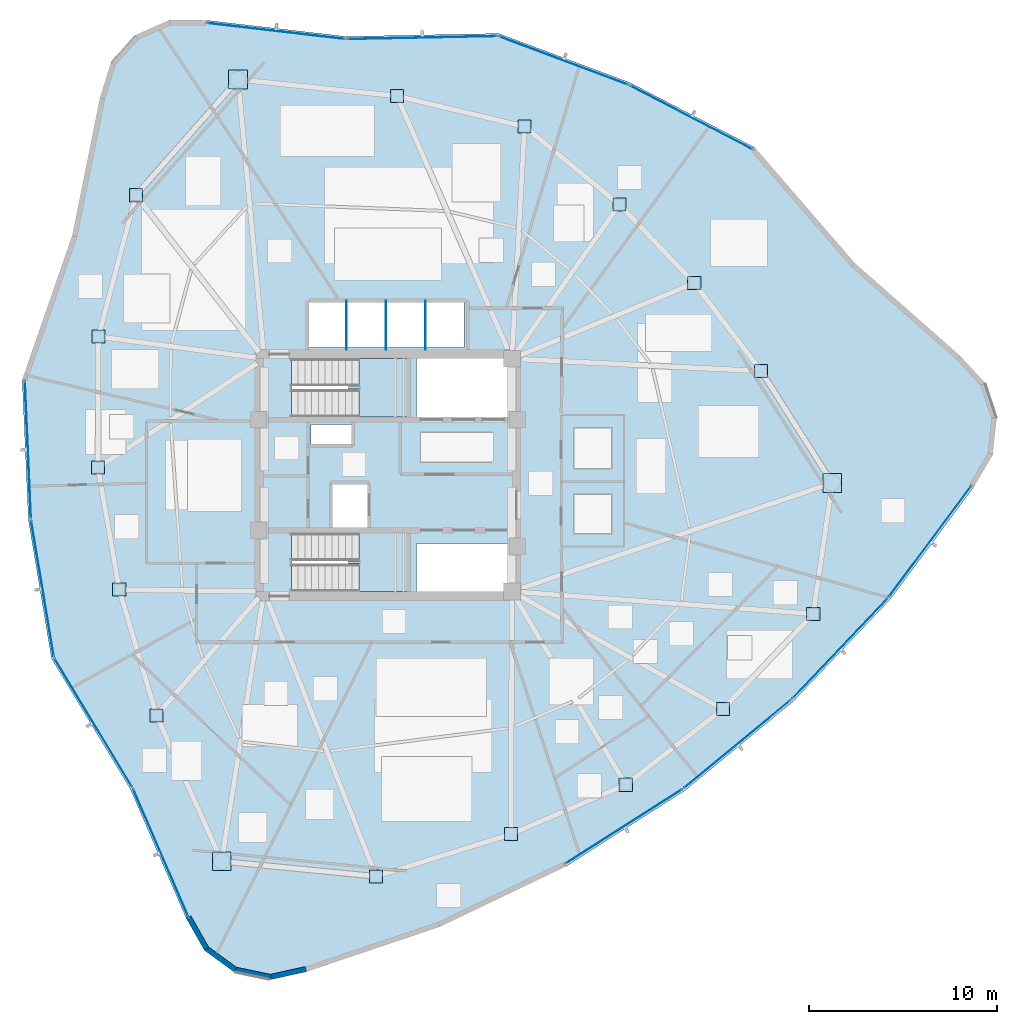
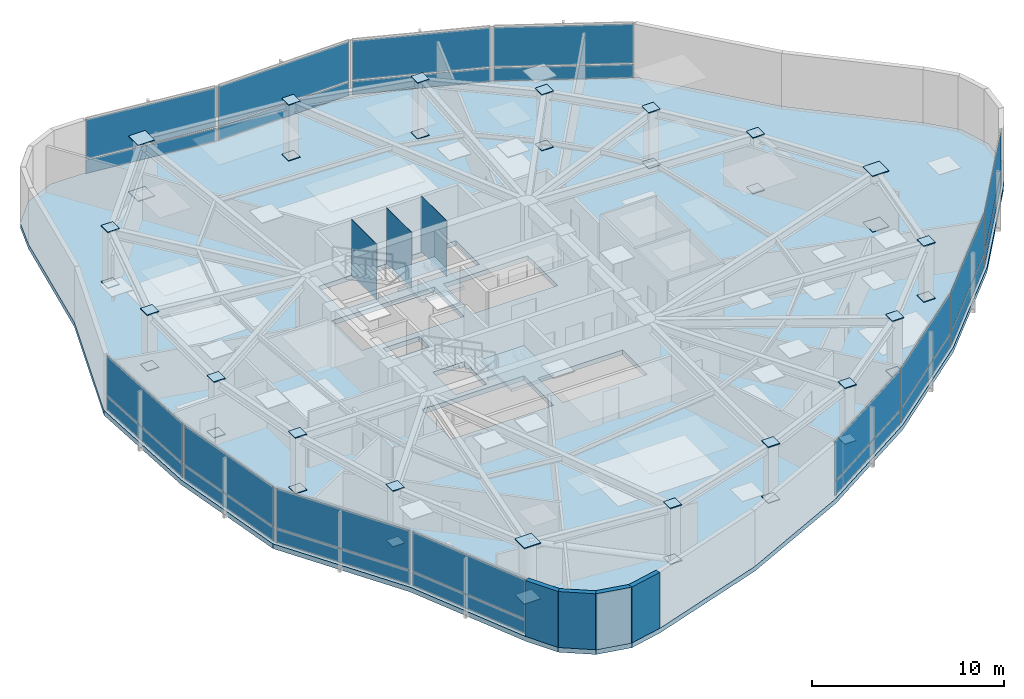
# One storey, part 10 of 17: 63 plates, 4 walls, 3 slabs, 14 elements without a shape of their own.
"""IFC4 building model written with IfcOpenShell, lengths in metres."""

from ifc_helpers import new_model, si_unit, direction, frame, frame_2d, origin, origin_2d, place, context, subcontext, project, spatial, polyline, rectangle, outline, extrude, source, transform, mapped, material, layer, layer_set, type_object, type_shapes, element, aggregate, save


model = new_model("IFC4")

# Units and contexts
model_context = context("Model", 3, precision=1e-05, world=origin(), true_north=direction((0.0, 1.0)))
body_context = subcontext(model_context, "Body", "Model", "MODEL_VIEW")
ifc_project = project(units=[si_unit("LENGTHUNIT", "METRE"), si_unit("AREAUNIT", "SQUARE_METRE"), si_unit("VOLUMEUNIT", "CUBIC_METRE"), si_unit("PLANEANGLEUNIT", "RADIAN"), si_unit("MASSUNIT", "GRAM", prefix="KILO")], contexts=[model_context])

# Site, building, storey
site_placement = place(None, origin())
site = spatial("IfcSite", under=ifc_project, at=site_placement, CompositionType="ELEMENT")
building_placement = place(site_placement, origin())
building = spatial("IfcBuilding", under=site, at=building_placement, Name="Tavelor Broadcast Tower", CompositionType="ELEMENT")
storey_placement = place(building_placement, frame((0.0, 0.0, 184.89990234375)))
storey = spatial("IfcBuildingStorey", under=building, at=storey_placement, Name="L44", CompositionType="ELEMENT", Elevation=184.89990234375)

# Stair, slab
ifc_material_1 = material(Name="Concrete C40/50", Category="concrete")
stair_type = type_object("IfcStairType", Name="Reinforced Concrete Protected Dogleg Stair 1450 mm", PredefinedType="HALF_TURN_STAIR", material=ifc_material_1)
stair_1_placement = place(storey_placement, origin())
stair_1 = element("IfcStair", 1, at=stair_1_placement, inside=storey, type_object=stair_type, Name="L44 Protected Core Exit Stair ST1", PredefinedType="HALF_TURN_STAIR")
ifc_layer_1 = layer(ifc_material_1, 0.199951171875)
ifc_layer_set_1 = layer_set([ifc_layer_1], Name="Concrete C40/50")
slab_type_1 = type_object("IfcSlabType", Name="Reinforced Concrete Stair Half-Landing Slab 200 mm", PredefinedType="LANDING", material=ifc_layer_set_1)
slab_1_placement = place(storey_placement, frame((0.0, 0.0, 1.72509765625)))
slab_1 = element("IfcSlab", 2, at=slab_1_placement, type_object=slab_type_1, Name="ST1 landing 1", PredefinedType="LANDING", context=body_context, shape_type="SweptSolid", body=[
    extrude(outline(polyline([(48.445068359375, 49.590087890625), (48.445068359375, 48.094970703125), (51.0048828125, 48.094970703125), (51.0048828125, 51.205078125), (48.445068359375, 51.205078125), (48.445068359375, 49.7099609375), (47.905029296875, 49.7099609375), (47.905029296875, 49.590087890625), (48.445068359375, 49.590087890625)])), origin(), (0.0, 0.0, 1.0), 0.199951171875),
])
aggregate(stair_1, [slab_1])

stair_2_placement = place(storey_placement, origin())
stair_2 = element("IfcStair", 3, at=stair_2_placement, inside=storey, type_object=stair_type, Name="L44 Protected Core Exit Stair ST2", PredefinedType="HALF_TURN_STAIR")
slab_2_placement = place(storey_placement, frame((0.0, 0.0, 1.72509765625)))
slab_2 = element("IfcSlab", 4, at=slab_2_placement, type_object=slab_type_1, Name="ST2 landing 1", PredefinedType="LANDING", context=body_context, shape_type="SweptSolid", body=[
    extrude(outline(polyline([(48.445068359375, 40.2900390625), (48.445068359375, 38.794921875), (51.0048828125, 38.794921875), (51.0048828125, 41.905029296875), (48.445068359375, 41.905029296875), (48.445068359375, 40.409912109375), (47.905029296875, 40.409912109375), (47.905029296875, 40.2900390625), (48.445068359375, 40.2900390625)])), origin(), (0.0, 0.0, 1.0), 0.199951171875),
])
aggregate(stair_2, [slab_2])

# Slab
ifc_layer_2 = layer(ifc_material_1, 0.300048828125)
ifc_layer_set_2 = layer_set([ifc_layer_2], Name="Concrete C40/50")
slab_type_2 = type_object("IfcSlabType", Name="Tower Composite Floor Slab 300 mm", PredefinedType="FLOOR", material=ifc_layer_set_2)
slab_3_placement = place(storey_placement, frame((0.0, 0.0, -0.2998046875)))
element("IfcSlab", 5, at=slab_3_placement, inside=storey, type_object=slab_type_2, Name="L44 Structural Floor Slab", PredefinedType="FLOOR", context=body_context, shape_type="SweptSolid", body=[
    extrude(outline(polyline([(40.32568359375, 69.234130859375), (38.358642578125, 69.24951171875), (36.5595703125, 68.4541015625), (35.2470703125, 66.98876953125), (34.654052734375, 65.11328125), (33.177001953125, 57.772705078125), (30.5107421875, 50.088134765625), (30.840576171875, 42.60791015625), (32.0732421875, 35.222412109375), (36.27880859375, 28.260009765625), (39.249755859375, 21.38720703125), (40.219970703125, 19.67578125), (41.808349609375, 18.515380859375), (43.733642578125, 18.111572265625), (45.654541015625, 18.53564453125), (52.75, 20.9267578125), (59.50390625, 24.158935546875), (65.81689453125, 28.184814453125), (71.5966796875, 32.94482421875), (76.7578125, 38.369384765625), (81.224365234375, 44.378662109375), (82.22119140625, 46.074462890625), (82.43212890625, 48.030517578125), (81.8193359375, 49.899658203125), (80.49169921875, 51.35107421875), (74.873046875, 56.30029296875), (69.551025390625, 62.451904296875), (62.908203125, 65.90625), (55.89599609375, 68.531494140625), (47.763427734375, 68.370361328125), (40.32568359375, 69.234130859375)]), holes=[polyline([(56.60009765625, 41.35009765625), (56.60009765625, 38.800048828125), (51.52001953125, 38.800048828125), (51.52001953125, 41.35009765625), (56.60009765625, 41.35009765625)]), polyline([(50.99609375, 38.803955078125), (44.85400390625, 38.803955078125), (44.85400390625, 41.89599609375), (50.99609375, 41.89599609375), (50.99609375, 38.803955078125)]), polyline([(47.050048828125, 42.199951171875), (47.050048828125, 44.550048828125), (48.949951171875, 44.550048828125), (48.949951171875, 42.199951171875), (47.050048828125, 42.199951171875)]), polyline([(48.050048828125, 46.64990234375), (45.89990234375, 46.64990234375), (45.89990234375, 47.699951171875), (48.050048828125, 47.699951171875), (48.050048828125, 46.64990234375)]), polyline([(50.99609375, 48.10400390625), (44.85400390625, 48.10400390625), (44.85400390625, 51.196044921875), (50.99609375, 51.196044921875), (50.99609375, 48.10400390625)]), polyline([(56.60009765625, 48.10009765625), (51.52001953125, 48.10009765625), (51.52001953125, 51.199951171875), (56.60009765625, 51.199951171875), (56.60009765625, 48.10009765625)]), polyline([(54.050048828125, 51.800048828125), (45.800048828125, 51.800048828125), (45.800048828125, 54.25), (54.050048828125, 54.25), (54.050048828125, 51.800048828125)])]), origin(), (0.0, 0.0, 1.0), 0.2998046875),
])

# Plates
ifc_material_2 = material(Name="Steel S460", Category="steel")
ifc_layer_3 = layer(ifc_material_2, 0.050048828125)
ifc_layer_set_3 = layer_set([ifc_layer_3], Name="Steel S460")
plate_type_1 = type_object("IfcPlateType", Name="Tube Hollow-End Cap Plate KN05 700x700x50", PredefinedType="USERDEFINED", material=ifc_layer_set_3)
shared_shape_1 = source(origin(), body_context, "Body", "SweptSolid", [
    extrude(rectangle(XDim=0.699951171875, YDim=0.699951171875, at=origin_2d()), origin(), (0.0, 0.0, 1.0), 0.054931640625),
])
for number, where, z_axis, x_axis, name in (
    (6, (36.567626953125, 59.91064453125, -0.02734375), (0.0, 0.0, 1.0), (1.0, 0.0, 0.0), "L44 Hollow End Cap Plate KN05 #1253"),
    (7, (36.567626953125, 59.91064453125, 3.5224609375), (0.0, 0.0, 1.0), (1.0, 0.0, 0.0), "L44 Hollow End Cap Plate KN05 #1254"),
    (8, (34.5751953125, 52.37939453125, -0.02734375), (0.0, 0.0, 1.0), (1.0, 0.0, 0.0), "L44 Hollow End Cap Plate KN05 #1255"),
    (9, (34.5751953125, 52.37939453125, 3.5224609375), (0.0, 0.0, 1.0), (1.0, 0.0, 0.0), "L44 Hollow End Cap Plate KN05 #1256"),
    (10, (34.54638671875, 45.399169921875, -0.02734375), (0.0, 0.0, 1.0), (1.0, 0.0, 0.0), "L44 Hollow End Cap Plate KN05 #1257"),
    (11, (34.54638671875, 45.399169921875, 3.5224609375), (0.0, 0.0, 1.0), (1.0, 0.0, 0.0), "L44 Hollow End Cap Plate KN05 #1258"),
    (12, (35.680908203125, 38.89990234375, -0.02734375), (0.0, 0.0, 1.0), (1.0, 0.0, 0.0), "L44 Hollow End Cap Plate KN05 #1259"),
    (13, (35.680908203125, 38.89990234375, 3.5224609375), (0.0, 0.0, 1.0), (1.0, 0.0, 0.0), "L44 Hollow End Cap Plate KN05 #1260"),
    (14, (37.668212890625, 32.1904296875, -0.02734375), (0.0, 0.0, 1.0), (1.0, 0.0, 0.0), "L44 Hollow End Cap Plate KN05 #1261"),
    (15, (37.668212890625, 32.1904296875, 3.5224609375), (0.0, 0.0, 1.0), (1.0, 0.0, 0.0), "L44 Hollow End Cap Plate KN05 #1262"),
    (16, (49.366455078125, 23.618896484375, -0.02734375), (0.0, 0.0, 1.0), (1.0, 0.0, 0.0), "L44 Hollow End Cap Plate KN05 #1265"),
    (17, (49.366455078125, 23.618896484375, 3.5224609375), (0.0, 0.0, 1.0), (1.0, 0.0, 0.0), "L44 Hollow End Cap Plate KN05 #1266"),
    (18, (56.56103515625, 25.872802734375, -0.02734375), (0.0, 0.0, 1.0), (1.0, 0.0, 0.0), "L44 Hollow End Cap Plate KN05 #1267"),
    (19, (56.56103515625, 25.872802734375, 3.5224609375), (0.0, 0.0, 1.0), (1.0, 0.0, 0.0), "L44 Hollow End Cap Plate KN05 #1268"),
    (20, (62.669189453125, 28.503173828125, -0.02734375), (0.0, 0.0, 1.0), (1.0, 0.0, 0.0), "L44 Hollow End Cap Plate KN05 #1269"),
    (21, (62.669189453125, 28.503173828125, 3.5224609375), (0.0, 0.0, 1.0), (1.0, 0.0, 0.0), "L44 Hollow End Cap Plate KN05 #1270"),
    (22, (67.84228515625, 32.53173828125, -0.02734375), (0.0, 0.0, 1.0), (1.0, 0.0, 0.0), "L44 Hollow End Cap Plate KN05 #1271"),
    (23, (67.84228515625, 32.53173828125, 3.5224609375), (0.0, 0.0, 1.0), (1.0, 0.0, 0.0), "L44 Hollow End Cap Plate KN05 #1272"),
    (24, (72.6591796875, 37.607421875, -0.02734375), (0.0, 0.0, 1.0), (1.0, 0.0, 0.0), "L44 Hollow End Cap Plate KN05 #1273"),
    (25, (72.6591796875, 37.607421875, 3.5224609375), (0.0, 0.0, 1.0), (1.0, 0.0, 0.0), "L44 Hollow End Cap Plate KN05 #1274"),
    (26, (69.885986328125, 50.544189453125, -0.02734375), (0.0, 0.0, 1.0), (1.0, 0.0, 0.0), "L44 Hollow End Cap Plate KN05 #1277"),
    (27, (69.885986328125, 50.544189453125, 3.5224609375), (0.0, 0.0, 1.0), (1.0, 0.0, 0.0), "L44 Hollow End Cap Plate KN05 #1278"),
    (28, (66.322021484375, 55.228759765625, -0.02734375), (0.0, 0.0, 1.0), (1.0, 0.0, 0.0), "L44 Hollow End Cap Plate KN05 #1279"),
    (29, (66.322021484375, 55.228759765625, 3.5224609375), (0.0, 0.0, 1.0), (1.0, 0.0, 0.0), "L44 Hollow End Cap Plate KN05 #1280"),
    (30, (62.330810546875, 59.416259765625, -0.02734375), (0.0, 0.0, 1.0), (1.0, 0.0, 0.0), "L44 Hollow End Cap Plate KN05 #1281"),
    (31, (62.330810546875, 59.416259765625, 3.5224609375), (0.0, 0.0, 1.0), (1.0, 0.0, 0.0), "L44 Hollow End Cap Plate KN05 #1282"),
    (32, (57.276611328125, 63.568359375, -0.02734375), (0.0, 0.0, 1.0), (1.0, 0.0, 0.0), "L44 Hollow End Cap Plate KN05 #1283"),
    (33, (57.276611328125, 63.568359375, 3.5224609375), (0.0, 0.0, 1.0), (1.0, 0.0, 0.0), "L44 Hollow End Cap Plate KN05 #1284"),
    (34, (50.472412109375, 65.2021484375, -0.02734375), (0.0, 0.0, 1.0), (1.0, 0.0, 0.0), "L44 Hollow End Cap Plate KN05 #1285"),
    (35, (50.472412109375, 65.2021484375, 3.5224609375), (0.0, 0.0, 1.0), (1.0, 0.0, 0.0), "L44 Hollow End Cap Plate KN05 #1286"),
):
    element("IfcPlate", number, at=place(storey_placement, frame(where, z_axis=z_axis, x_axis=x_axis)), inside=storey, type_object=plate_type_1, Name=name, ObjectType="CAP PLATE", PredefinedType="USERDEFINED", context=body_context, shape_type="MappedRepresentation", body=[
        mapped(shared_shape_1, transform((0.0, 0.0, 0.0), scale=1.0)),
    ])
shared_shape_2 = source(origin(), body_context, "Body", "SweptSolid", [
    extrude(rectangle(XDim=0.993896484375, YDim=0.993896484375, at=origin_2d()), origin(), (0.0, 0.0, 1.0), 0.054931640625),
])
type_shapes(plate_type_1, [shared_shape_1, shared_shape_2])
for number, where, z_axis, x_axis, name in (
    (36, (42.01123046875, 66.080078125, -0.02734375), (0.0, 0.0, 1.0), (1.0, 0.0, 0.0), "L44 Hollow End Cap Plate KN05 #1251"),
    (37, (42.01123046875, 66.080078125, 3.5224609375), (0.0, 0.0, 1.0), (1.0, 0.0, 0.0), "L44 Hollow End Cap Plate KN05 #1252"),
    (38, (41.138671875, 24.423828125, -0.02734375), (0.0, 0.0, 1.0), (1.0, 0.0, 0.0), "L44 Hollow End Cap Plate KN05 #1263"),
    (39, (41.138671875, 24.423828125, 3.5224609375), (0.0, 0.0, 1.0), (1.0, 0.0, 0.0), "L44 Hollow End Cap Plate KN05 #1264"),
    (40, (73.676025390625, 44.57958984375, -0.02734375), (0.0, 0.0, 1.0), (1.0, 0.0, 0.0), "L44 Hollow End Cap Plate KN05 #1275"),
    (41, (73.676025390625, 44.57958984375, 3.5224609375), (0.0, 0.0, 1.0), (1.0, 0.0, 0.0), "L44 Hollow End Cap Plate KN05 #1276"),
):
    element("IfcPlate", number, at=place(storey_placement, frame(where, z_axis=z_axis, x_axis=x_axis)), inside=storey, type_object=plate_type_1, Name=name, ObjectType="CAP PLATE", PredefinedType="USERDEFINED", context=body_context, shape_type="MappedRepresentation", body=[
        mapped(shared_shape_2, transform((0.0, 0.0, 0.0), scale=1.0)),
    ])
ifc_material_3 = material(Name="Steel S355", Category="steel")
ifc_layer_4 = layer(ifc_material_3, 0.011962890625)
ifc_layer_set_4 = layer_set([ifc_layer_4], Name="Steel S355")
plate_type_2 = type_object("IfcPlateType", Name="Hoistway Steel Separator Screen 12 mm", PredefinedType="SHEET", material=ifc_layer_set_4)
shared_shape_3 = source(origin(), body_context, "Body", "SweptSolid", [
    extrude(rectangle(XDim=0.02001953125, YDim=2.6201171875, at=origin_2d()), origin(), (0.0, 0.0, 1.0), 3.550048828125),
])
type_shapes(plate_type_2, [shared_shape_3])
for number, where, z_axis, x_axis, name in (
    (42, (47.800048828125, 52.989990234375, 0.0), (0.0, 0.0, 1.0), (1.0, 0.0, 0.0), "L44 High-Rise Hoistway Separator Screen 1"),
    (43, (49.89990234375, 52.989990234375, 0.0), (0.0, 0.0, 1.0), (1.0, 0.0, 0.0), "L44 High-Rise Hoistway Separator Screen 2"),
    (44, (52.0, 52.989990234375, 0.0), (0.0, 0.0, 1.0), (1.0, 0.0, 0.0), "L44 High-Rise Hoistway Separator Screen 3"),
):
    element("IfcPlate", number, at=place(storey_placement, frame(where, z_axis=z_axis, x_axis=x_axis)), inside=storey, type_object=plate_type_2, Name=name, PredefinedType="SHEET", context=body_context, shape_type="MappedRepresentation", body=[
        mapped(shared_shape_3, transform((0.0, 0.0, 0.0), scale=1.0)),
    ])

# Curtain wall, plate
ifc_material_4 = material(Name="Architectural Anodized Aluminium", Category="aluminium")
ifc_layer_5 = layer(ifc_material_4, 0.18994140625)
ifc_layer_set_5 = layer_set([ifc_layer_5], Name="Architectural Anodized Aluminium")
curtain_wall_type = type_object("IfcCurtainWallType", Name="Tower Mid-Zone Acoustic Curtain Wall CW03", PredefinedType="NOTDEFINED", material=ifc_layer_set_5)
curtain_wall_1_placement = place(storey_placement, origin())
curtain_wall_1 = element("IfcCurtainWall", 45, at=curtain_wall_1_placement, inside=storey, type_object=curtain_wall_type, Name="L44 Curtain Wall CW03 Run 469", PredefinedType="NOTDEFINED")
ifc_material_5 = material(Name="Solar Control Double Glazing 30 mm", Category="glass")
ifc_layer_6 = layer(ifc_material_5, 0.030029296875)
ifc_layer_set_6 = layer_set([ifc_layer_6], Name="Solar Control Double Glazing 30 mm")
plate_type_3 = type_object("IfcPlateType", Name="CW03 Insulated Vision Glazing Panel 30 mm", PredefinedType="CURTAIN_PANEL", material=ifc_layer_set_6)
shared_shape_4 = source(origin(), body_context, "Body", "SweptSolid", [
    extrude(rectangle(XDim=7.30126953125, YDim=0.030029296875, at=origin_2d()), origin(), (0.0, 0.0, 1.0), 0.847900390625),
])
plate_1_placement = place(storey_placement, frame((30.8154296875, 46.3525390625, 0.068359375), z_axis=(0.0, 0.0, 1.0), x_axis=(0.044062144701, -0.99902879208, 0.0)))
plate_1 = element("IfcPlate", 46, at=plate_1_placement, type_object=plate_type_3, Name="CW03 panel 1.1", PredefinedType="CURTAIN_PANEL", context=body_context, shape_type="MappedRepresentation", body=[
    mapped(shared_shape_4, transform((0.0, 0.0, 0.0), scale=1.0)),
])

curtain_wall_2_placement = place(storey_placement, origin())
curtain_wall_2 = element("IfcCurtainWall", 47, at=curtain_wall_2_placement, inside=storey, type_object=curtain_wall_type, Name="L44 Curtain Wall CW03 Run 477", PredefinedType="NOTDEFINED")
plate_2_placement = place(storey_placement, frame((66.16357421875, 64.0556640625, 0.068359375), z_axis=(0.0, 0.0, 1.0), x_axis=(-0.887206674197, 0.461372211193, 0.0)))
plate_2 = element("IfcPlate", 48, at=plate_2_placement, type_object=plate_type_3, Name="CW03 panel 1.1", PredefinedType="CURTAIN_PANEL", context=body_context, shape_type="MappedRepresentation", body=[
    mapped(shared_shape_4, transform((0.0, 0.0, 0.0), scale=1.0)),
])

# Plate
shared_shape_5 = source(origin(), body_context, "Body", "SweptSolid", [
    extrude(rectangle(XDim=7.30126953125, YDim=0.030029296875, at=origin_2d()), origin(), (0.0, 0.0, 1.0), 2.498046875),
])
plate_3_placement = place(storey_placement, frame((30.8154296875, 46.3525390625, 0.984130859375), z_axis=(0.0, 0.0, 1.0), x_axis=(0.044062144701, -0.99902879208, 0.0)))
plate_3 = element("IfcPlate", 49, at=plate_3_placement, type_object=plate_type_3, Name="CW03 panel 1.2", PredefinedType="CURTAIN_PANEL", context=body_context, shape_type="MappedRepresentation", body=[
    mapped(shared_shape_5, transform((0.0, 0.0, 0.0), scale=1.0)),
])

aggregate(curtain_wall_1, [plate_1, plate_3])

plate_4_placement = place(storey_placement, frame((66.16357421875, 64.0556640625, 0.984130859375), z_axis=(0.0, 0.0, 1.0), x_axis=(-0.887206674197, 0.461372211193, 0.0)))
plate_4 = element("IfcPlate", 50, at=plate_4_placement, type_object=plate_type_3, Name="CW03 panel 1.2", PredefinedType="CURTAIN_PANEL", context=body_context, shape_type="MappedRepresentation", body=[
    mapped(shared_shape_5, transform((0.0, 0.0, 0.0), scale=1.0)),
])

aggregate(curtain_wall_2, [plate_2, plate_4])

# Curtain wall, plate
curtain_wall_3_placement = place(storey_placement, origin())
curtain_wall_3 = element("IfcCurtainWall", 51, at=curtain_wall_3_placement, inside=storey, type_object=curtain_wall_type, Name="L44 Curtain Wall CW03 Run 470", PredefinedType="NOTDEFINED")
shared_shape_6 = source(origin(), body_context, "Body", "SweptSolid", [
    extrude(rectangle(XDim=7.2861328125, YDim=0.030029296875, at=origin_2d()), origin(), (0.0, 0.0, 1.0), 0.847900390625),
])
plate_5_placement = place(storey_placement, frame((31.593505859375, 38.947265625, 0.068359375), z_axis=(0.0, 0.0, 1.0), x_axis=(0.164613094866, -0.986358215355, 0.0)))
plate_5 = element("IfcPlate", 52, at=plate_5_placement, type_object=plate_type_3, Name="CW03 panel 1.1", PredefinedType="CURTAIN_PANEL", context=body_context, shape_type="MappedRepresentation", body=[
    mapped(shared_shape_6, transform((0.0, 0.0, 0.0), scale=1.0)),
])

curtain_wall_4_placement = place(storey_placement, origin())
curtain_wall_4 = element("IfcCurtainWall", 53, at=curtain_wall_4_placement, inside=storey, type_object=curtain_wall_type, Name="L44 Curtain Wall CW03 Run 478", PredefinedType="NOTDEFINED")
plate_6_placement = place(storey_placement, frame((59.361328125, 67.08447265625, 0.068359375), z_axis=(0.0, 0.0, 1.0), x_axis=(-0.936522271933, 0.350608091996, 0.0)))
plate_6 = element("IfcPlate", 54, at=plate_6_placement, type_object=plate_type_3, Name="CW03 panel 1.1", PredefinedType="CURTAIN_PANEL", context=body_context, shape_type="MappedRepresentation", body=[
    mapped(shared_shape_6, transform((0.0, 0.0, 0.0), scale=1.0)),
])

# Plate
shared_shape_7 = source(origin(), body_context, "Body", "SweptSolid", [
    extrude(rectangle(XDim=7.2861328125, YDim=0.030029296875, at=origin_2d()), origin(), (0.0, 0.0, 1.0), 2.498046875),
])
plate_7_placement = place(storey_placement, frame((31.593505859375, 38.947265625, 0.984130859375), z_axis=(0.0, 0.0, 1.0), x_axis=(0.164613094866, -0.986358215355, 0.0)))
plate_7 = element("IfcPlate", 55, at=plate_7_placement, type_object=plate_type_3, Name="CW03 panel 1.2", PredefinedType="CURTAIN_PANEL", context=body_context, shape_type="MappedRepresentation", body=[
    mapped(shared_shape_7, transform((0.0, 0.0, 0.0), scale=1.0)),
])

aggregate(curtain_wall_3, [plate_5, plate_7])

plate_8_placement = place(storey_placement, frame((59.361328125, 67.08447265625, 0.984130859375), z_axis=(0.0, 0.0, 1.0), x_axis=(-0.936522271933, 0.350608091996, 0.0)))
plate_8 = element("IfcPlate", 56, at=plate_8_placement, type_object=plate_type_3, Name="CW03 panel 1.2", PredefinedType="CURTAIN_PANEL", context=body_context, shape_type="MappedRepresentation", body=[
    mapped(shared_shape_7, transform((0.0, 0.0, 0.0), scale=1.0)),
])

aggregate(curtain_wall_4, [plate_6, plate_8])

# Curtain wall, plate
curtain_wall_5_placement = place(storey_placement, origin())
curtain_wall_5 = element("IfcCurtainWall", 57, at=curtain_wall_5_placement, inside=storey, type_object=curtain_wall_type, Name="L44 Curtain Wall CW03 Run 471", PredefinedType="NOTDEFINED")
shared_shape_8 = source(origin(), body_context, "Body", "SweptSolid", [
    extrude(rectangle(XDim=7.95068359375, YDim=0.030029296875, at=origin_2d()), origin(), (0.0, 0.0, 1.0), 0.847900390625),
])
plate_9_placement = place(storey_placement, frame((34.30517578125, 31.798095703125, 0.068359375), z_axis=(0.0, 0.0, 1.0), x_axis=(0.517053923287, -0.855952826044, 0.0)))
plate_9 = element("IfcPlate", 58, at=plate_9_placement, type_object=plate_type_3, Name="CW03 panel 1.1", PredefinedType="CURTAIN_PANEL", context=body_context, shape_type="MappedRepresentation", body=[
    mapped(shared_shape_8, transform((0.0, 0.0, 0.0), scale=1.0)),
])

curtain_wall_6_placement = place(storey_placement, origin())
curtain_wall_6 = element("IfcCurtainWall", 59, at=curtain_wall_6_placement, inside=storey, type_object=curtain_wall_type, Name="L44 Curtain Wall CW03 Run 479", PredefinedType="NOTDEFINED")
plate_10_placement = place(storey_placement, frame((51.814208984375, 68.310546875, 0.068359375), z_axis=(0.0, 0.0, 1.0), x_axis=(-0.999803760856, -0.019810092816, 0.0)))
plate_10 = element("IfcPlate", 60, at=plate_10_placement, type_object=plate_type_3, Name="CW03 panel 1.1", PredefinedType="CURTAIN_PANEL", context=body_context, shape_type="MappedRepresentation", body=[
    mapped(shared_shape_8, transform((0.0, 0.0, 0.0), scale=1.0)),
])

# Plate
shared_shape_9 = source(origin(), body_context, "Body", "SweptSolid", [
    extrude(rectangle(XDim=7.95068359375, YDim=0.030029296875, at=origin_2d()), origin(), (0.0, 0.0, 1.0), 2.498046875),
])
plate_11_placement = place(storey_placement, frame((34.30517578125, 31.798095703125, 0.984130859375), z_axis=(0.0, 0.0, 1.0), x_axis=(0.517053923287, -0.855952826044, 0.0)))
plate_11 = element("IfcPlate", 61, at=plate_11_placement, type_object=plate_type_3, Name="CW03 panel 1.2", PredefinedType="CURTAIN_PANEL", context=body_context, shape_type="MappedRepresentation", body=[
    mapped(shared_shape_9, transform((0.0, 0.0, 0.0), scale=1.0)),
])

aggregate(curtain_wall_5, [plate_9, plate_11])

plate_12_placement = place(storey_placement, frame((51.814208984375, 68.310546875, 0.984130859375), z_axis=(0.0, 0.0, 1.0), x_axis=(-0.999803760856, -0.019810092816, 0.0)))
plate_12 = element("IfcPlate", 62, at=plate_12_placement, type_object=plate_type_3, Name="CW03 panel 1.2", PredefinedType="CURTAIN_PANEL", context=body_context, shape_type="MappedRepresentation", body=[
    mapped(shared_shape_9, transform((0.0, 0.0, 0.0), scale=1.0)),
])

aggregate(curtain_wall_6, [plate_10, plate_12])

# Curtain wall, plate
curtain_wall_7_placement = place(storey_placement, origin())
curtain_wall_7 = element("IfcCurtainWall", 63, at=curtain_wall_7_placement, inside=storey, type_object=curtain_wall_type, Name="L44 Curtain Wall CW03 Run 472", PredefinedType="NOTDEFINED")
shared_shape_10 = source(origin(), body_context, "Body", "SweptSolid", [
    extrude(rectangle(XDim=7.33837890625, YDim=0.030029296875, at=origin_2d()), origin(), (0.0, 0.0, 1.0), 0.847900390625),
])
plate_13_placement = place(storey_placement, frame((37.892333984375, 24.880126953125, 0.068359375), z_axis=(0.0, 0.0, 1.0), x_axis=(0.396767360766, -0.917919202016, 0.0)))
plate_13 = element("IfcPlate", 64, at=plate_13_placement, type_object=plate_type_3, Name="CW03 panel 1.1", PredefinedType="CURTAIN_PANEL", context=body_context, shape_type="MappedRepresentation", body=[
    mapped(shared_shape_10, transform((0.0, 0.0, 0.0), scale=1.0)),
])

curtain_wall_8_placement = place(storey_placement, origin())
curtain_wall_8 = element("IfcCurtainWall", 65, at=curtain_wall_8_placement, inside=storey, type_object=curtain_wall_type, Name="L44 Curtain Wall CW03 Run 480", PredefinedType="NOTDEFINED")
plate_14_placement = place(storey_placement, frame((44.029541015625, 68.6630859375, 0.068359375), z_axis=(0.0, 0.0, 1.0), x_axis=(-0.993324646014, 0.115352276189, 0.0)))
plate_14 = element("IfcPlate", 66, at=plate_14_placement, type_object=plate_type_3, Name="CW03 panel 1.1", PredefinedType="CURTAIN_PANEL", context=body_context, shape_type="MappedRepresentation", body=[
    mapped(shared_shape_10, transform((0.0, 0.0, 0.0), scale=1.0)),
])

# Plate
shared_shape_11 = source(origin(), body_context, "Body", "SweptSolid", [
    extrude(rectangle(XDim=7.33837890625, YDim=0.030029296875, at=origin_2d()), origin(), (0.0, 0.0, 1.0), 2.498046875),
])
plate_15_placement = place(storey_placement, frame((37.892333984375, 24.880126953125, 0.984130859375), z_axis=(0.0, 0.0, 1.0), x_axis=(0.396767360766, -0.917919202016, 0.0)))
plate_15 = element("IfcPlate", 67, at=plate_15_placement, type_object=plate_type_3, Name="CW03 panel 1.2", PredefinedType="CURTAIN_PANEL", context=body_context, shape_type="MappedRepresentation", body=[
    mapped(shared_shape_11, transform((0.0, 0.0, 0.0), scale=1.0)),
])

aggregate(curtain_wall_7, [plate_13, plate_15])

plate_16_placement = place(storey_placement, frame((44.029541015625, 68.6630859375, 0.984130859375), z_axis=(0.0, 0.0, 1.0), x_axis=(-0.993324646014, 0.115352276189, 0.0)))
plate_16 = element("IfcPlate", 68, at=plate_16_placement, type_object=plate_type_3, Name="CW03 panel 1.2", PredefinedType="CURTAIN_PANEL", context=body_context, shape_type="MappedRepresentation", body=[
    mapped(shared_shape_11, transform((0.0, 0.0, 0.0), scale=1.0)),
])

aggregate(curtain_wall_8, [plate_14, plate_16])

# Curtain wall, plates
curtain_wall_9_placement = place(storey_placement, origin())
curtain_wall_9 = element("IfcCurtainWall", 69, at=curtain_wall_9_placement, inside=storey, type_object=curtain_wall_type, Name="L44 Curtain Wall CW03 Run 473", PredefinedType="NOTDEFINED")
shared_shape_12 = source(origin(), body_context, "Body", "SweptSolid", [
    extrude(rectangle(XDim=7.319580078125, YDim=0.030029296875, at=origin_2d()), origin(), (0.0, 0.0, 1.0), 0.847900390625),
])
plate_17_placement = place(storey_placement, frame((62.578857421875, 26.285888671875, 0.068359375), z_axis=(0.0, 0.0, 1.0), x_axis=(0.843163505686, 0.537657235308, 0.0)))
plate_17 = element("IfcPlate", 70, at=plate_17_placement, type_object=plate_type_3, Name="CW03 panel 1.1", PredefinedType="CURTAIN_PANEL", context=body_context, shape_type="MappedRepresentation", body=[
    mapped(shared_shape_12, transform((0.0, 0.0, 0.0), scale=1.0)),
])
shared_shape_13 = source(origin(), body_context, "Body", "SweptSolid", [
    extrude(rectangle(XDim=7.319580078125, YDim=0.030029296875, at=origin_2d()), origin(), (0.0, 0.0, 1.0), 2.498046875),
])
plate_18_placement = place(storey_placement, frame((62.578857421875, 26.285888671875, 0.984130859375), z_axis=(0.0, 0.0, 1.0), x_axis=(0.843163505686, 0.537657235308, 0.0)))
plate_18 = element("IfcPlate", 71, at=plate_18_placement, type_object=plate_type_3, Name="CW03 panel 1.2", PredefinedType="CURTAIN_PANEL", context=body_context, shape_type="MappedRepresentation", body=[
    mapped(shared_shape_13, transform((0.0, 0.0, 0.0), scale=1.0)),
])
aggregate(curtain_wall_9, [plate_17, plate_18])

# Curtain wall, plate
curtain_wall_10_placement = place(storey_placement, origin())
curtain_wall_10 = element("IfcCurtainWall", 72, at=curtain_wall_10_placement, inside=storey, type_object=curtain_wall_type, Name="L44 Curtain Wall CW03 Run 474", PredefinedType="NOTDEFINED")
shared_shape_14 = source(origin(), body_context, "Body", "SweptSolid", [
    extrude(rectangle(XDim=7.3046875, YDim=0.030029296875, at=origin_2d()), origin(), (0.0, 0.0, 1.0), 0.847900390625),
])
plate_19_placement = place(storey_placement, frame((68.617919921875, 30.6728515625, 0.068359375), z_axis=(0.0, 0.0, 1.0), x_axis=(0.771901138345, 0.635742583615, 0.0)))
plate_19 = element("IfcPlate", 73, at=plate_19_placement, type_object=plate_type_3, Name="CW03 panel 1.1", PredefinedType="CURTAIN_PANEL", context=body_context, shape_type="MappedRepresentation", body=[
    mapped(shared_shape_14, transform((0.0, 0.0, 0.0), scale=1.0)),
])

curtain_wall_11_placement = place(storey_placement, origin())
curtain_wall_11 = element("IfcCurtainWall", 74, at=curtain_wall_11_placement, inside=storey, type_object=curtain_wall_type, Name="L44 Curtain Wall CW03 Run 475", PredefinedType="NOTDEFINED")
plate_20_placement = place(storey_placement, frame((74.07568359375, 35.753662109375, 0.068359375), z_axis=(0.0, 0.0, 1.0), x_axis=(0.689288277411, 0.724487177681, 0.0)))
plate_20 = element("IfcPlate", 75, at=plate_20_placement, type_object=plate_type_3, Name="CW03 panel 1.1", PredefinedType="CURTAIN_PANEL", context=body_context, shape_type="MappedRepresentation", body=[
    mapped(shared_shape_14, transform((0.0, 0.0, 0.0), scale=1.0)),
])

# Plate
shared_shape_15 = source(origin(), body_context, "Body", "SweptSolid", [
    extrude(rectangle(XDim=7.3046875, YDim=0.030029296875, at=origin_2d()), origin(), (0.0, 0.0, 1.0), 2.498046875),
])
plate_21_placement = place(storey_placement, frame((68.617919921875, 30.6728515625, 0.984130859375), z_axis=(0.0, 0.0, 1.0), x_axis=(0.771901138345, 0.635742583615, 0.0)))
plate_21 = element("IfcPlate", 76, at=plate_21_placement, type_object=plate_type_3, Name="CW03 panel 1.2", PredefinedType="CURTAIN_PANEL", context=body_context, shape_type="MappedRepresentation", body=[
    mapped(shared_shape_15, transform((0.0, 0.0, 0.0), scale=1.0)),
])

aggregate(curtain_wall_10, [plate_19, plate_21])

plate_22_placement = place(storey_placement, frame((74.07568359375, 35.753662109375, 0.984130859375), z_axis=(0.0, 0.0, 1.0), x_axis=(0.689288277411, 0.724487177681, 0.0)))
plate_22 = element("IfcPlate", 77, at=plate_22_placement, type_object=plate_type_3, Name="CW03 panel 1.2", PredefinedType="CURTAIN_PANEL", context=body_context, shape_type="MappedRepresentation", body=[
    mapped(shared_shape_15, transform((0.0, 0.0, 0.0), scale=1.0)),
])

aggregate(curtain_wall_11, [plate_20, plate_22])

# Curtain wall, plates
curtain_wall_12_placement = place(storey_placement, origin())
curtain_wall_12 = element("IfcCurtainWall", 78, at=curtain_wall_12_placement, inside=storey, type_object=curtain_wall_type, Name="L44 Curtain Wall CW03 Run 476", PredefinedType="NOTDEFINED")
shared_shape_16 = source(origin(), body_context, "Body", "SweptSolid", [
    extrude(rectangle(XDim=7.3203125, YDim=0.030029296875, at=origin_2d()), origin(), (0.0, 0.0, 1.0), 0.847900390625),
])
plate_23_placement = place(storey_placement, frame((78.883544921875, 41.464111328125, 0.068359375), z_axis=(0.0, 0.0, 1.0), x_axis=(0.596550404429, 0.802575613245, 0.0)))
plate_23 = element("IfcPlate", 79, at=plate_23_placement, type_object=plate_type_3, Name="CW03 panel 1.1", PredefinedType="CURTAIN_PANEL", context=body_context, shape_type="MappedRepresentation", body=[
    mapped(shared_shape_16, transform((0.0, 0.0, 0.0), scale=1.0)),
])
shared_shape_17 = source(origin(), body_context, "Body", "SweptSolid", [
    extrude(rectangle(XDim=7.3203125, YDim=0.030029296875, at=origin_2d()), origin(), (0.0, 0.0, 1.0), 2.498046875),
])
type_shapes(plate_type_3, [shared_shape_4, shared_shape_5, shared_shape_6, shared_shape_7, shared_shape_8, shared_shape_9, shared_shape_10, shared_shape_11, shared_shape_12, shared_shape_13, shared_shape_14, shared_shape_15, shared_shape_16, shared_shape_17])
plate_24_placement = place(storey_placement, frame((78.883544921875, 41.464111328125, 0.984130859375), z_axis=(0.0, 0.0, 1.0), x_axis=(0.596550404429, 0.802575613245, 0.0)))
plate_24 = element("IfcPlate", 80, at=plate_24_placement, type_object=plate_type_3, Name="CW03 panel 1.2", PredefinedType="CURTAIN_PANEL", context=body_context, shape_type="MappedRepresentation", body=[
    mapped(shared_shape_17, transform((0.0, 0.0, 0.0), scale=1.0)),
])
aggregate(curtain_wall_12, [plate_23, plate_24])

# Walls
ifc_material_6 = material(Name="Precast Concrete C40/50", Category="concrete")
ifc_layer_7 = layer(ifc_material_6, 0.280029296875)
ifc_layer_set_7 = layer_set([ifc_layer_7], Name="Precast Concrete C40/50")
wall_type = type_object("IfcWallType", Name="Insulated Precast Terracotta Facade Wall 280 mm", PredefinedType="STANDARD", material=ifc_layer_set_7)
wall_1_placement = place(storey_placement, frame((39.373291015625, 21.453125, 0.0), z_axis=(0.0, 0.0, 1.0), x_axis=(0.493167472511, -0.869934390662, 0.0)))
element("IfcWall", 81, at=wall_1_placement, inside=storey, type_object=wall_type, Name="L44 Rounded Corner Structural Cladding Pier 11", PredefinedType="STANDARD", context=body_context, shape_type="SweptSolid", body=[
    extrude(rectangle(XDim=1.948486328125, YDim=0.280029296875, at=frame_2d((0.97412109375, 0.0))), origin(), (0.0, 0.0, 1.0), 3.550048828125),
])
wall_2_placement = place(storey_placement, frame((40.314697265625, 19.780029296875, 0.0), z_axis=(0.0, 0.0, 1.0), x_axis=(0.807469637411, -0.589909132545, 0.0)))
element("IfcWall", 82, at=wall_2_placement, inside=storey, type_object=wall_type, Name="L44 Rounded Corner Structural Cladding Pier 12", PredefinedType="STANDARD", context=body_context, shape_type="SweptSolid", body=[
    extrude(rectangle(XDim=1.936767578125, YDim=0.280029296875, at=frame_2d((0.96826171875, 0.0))), origin(), (0.0, 0.0, 1.0), 3.550048828125),
])
wall_3_placement = place(storey_placement, frame((41.851806640625, 18.6494140625, 0.0), z_axis=(0.0, 0.0, 1.0), x_axis=(0.978695304341, -0.205318049037, 0.0)))
element("IfcWall", 83, at=wall_3_placement, inside=storey, type_object=wall_type, Name="L44 Rounded Corner Structural Cladding Pier 13", PredefinedType="STANDARD", context=body_context, shape_type="SweptSolid", body=[
    extrude(rectangle(XDim=1.93701171875, YDim=0.280029296875, at=frame_2d((0.968505859375, 0.0))), origin(), (0.0, 0.0, 1.0), 3.550048828125),
])
wall_4_placement = place(storey_placement, frame((43.71826171875, 18.25146484375, 0.0), z_axis=(0.0, 0.0, 1.0), x_axis=(0.976490999717, 0.215558176536, 0.0)))
element("IfcWall", 84, at=wall_4_placement, inside=storey, type_object=wall_type, Name="L44 Rounded Corner Structural Cladding Pier 14", PredefinedType="STANDARD", context=body_context, shape_type="SweptSolid", body=[
    extrude(rectangle(XDim=1.95947265625, YDim=0.280029296875, at=frame_2d((0.979736328125, 0.0))), origin(), (0.0, 0.0, 1.0), 3.550048828125),
])

save(model, "model.ifc")
